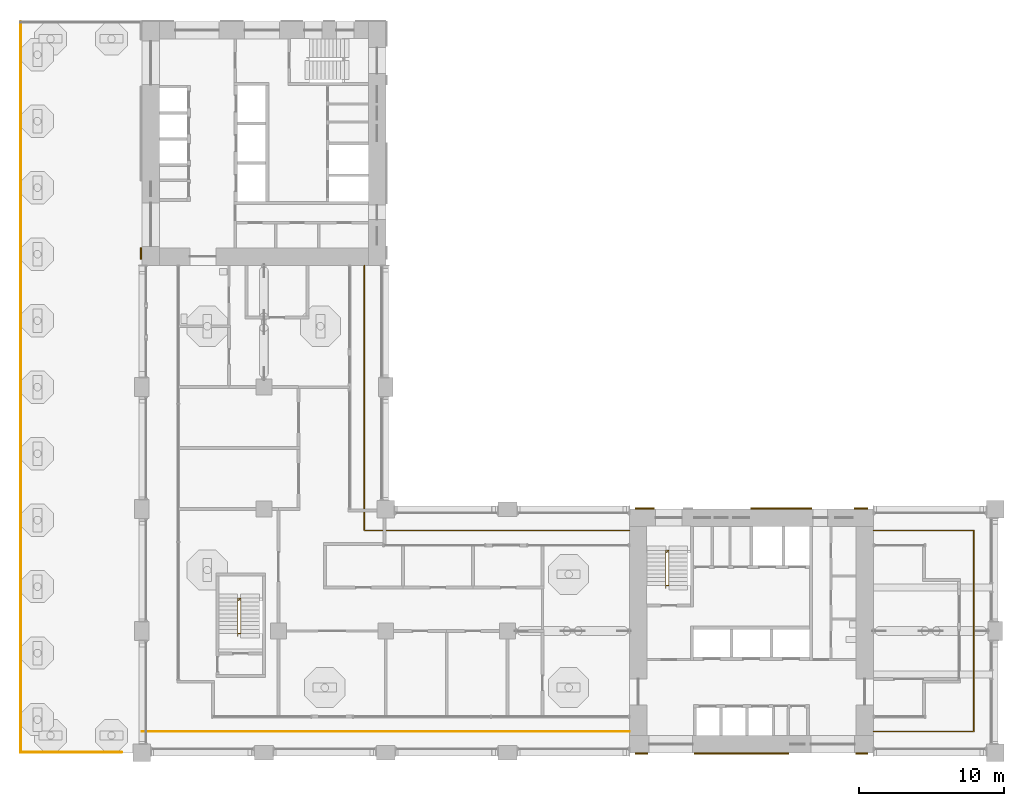
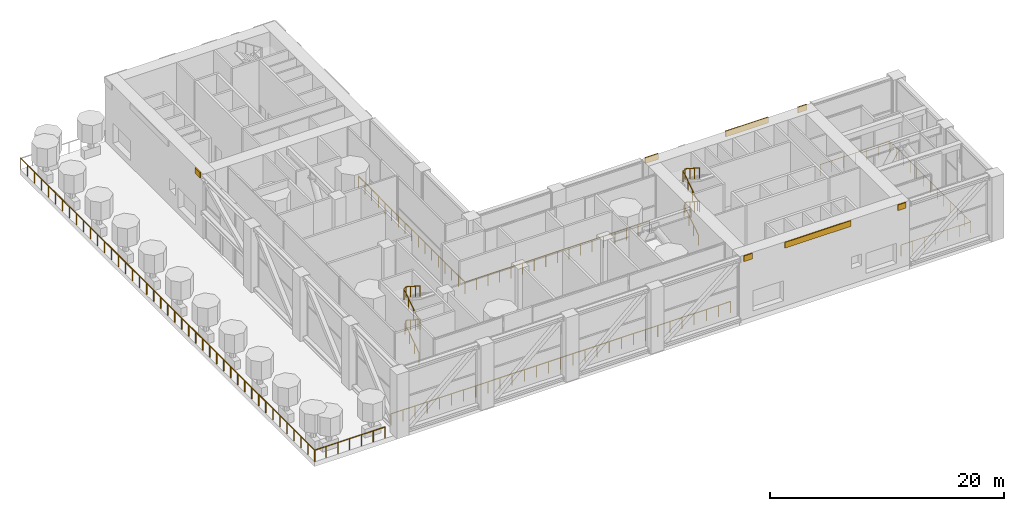
# One storey, part 18 of 22: 7 railings, 7 shading devices.
"""IFC4 building model written with IfcOpenShell, lengths in metres."""

from ifc_helpers import new_model, si_unit, direction, frame, origin, origin_2d, place, context, subcontext, project, spatial, rectangle, circle, extrude, material, layer, layer_set, type_object, element, save


model = new_model("IFC4")

# Units and contexts
model_context = context("Model", 3, precision=1e-05, world=origin(), true_north=direction((0.0, 1.0)))
body_context = subcontext(model_context, "Body", "Model", "MODEL_VIEW")
ifc_project = project(units=[si_unit("LENGTHUNIT", "METRE"), si_unit("AREAUNIT", "SQUARE_METRE"), si_unit("VOLUMEUNIT", "CUBIC_METRE"), si_unit("PLANEANGLEUNIT", "RADIAN"), si_unit("MASSUNIT", "GRAM", prefix="KILO")], contexts=[model_context])

# Site, building, storey
site_placement = place(None, origin())
site = spatial("IfcSite", under=ifc_project, at=site_placement, CompositionType="ELEMENT")
building_placement = place(site_placement, origin())
building = spatial("IfcBuilding", under=site, at=building_placement, Name="Vermilion Gate Residences", CompositionType="ELEMENT")
storey_placement = place(building_placement, frame((0.0, 0.0, 140.699951171875)))
storey = spatial("IfcBuildingStorey", under=building, at=storey_placement, Name="L36", CompositionType="ELEMENT", Elevation=140.699951171875)

# Railings
ifc_material_1 = material(Name="Stainless steel and toughened glass", Category="steel")
railing_type_1 = type_object("IfcRailingType", Name="LOGGIA GUARD STEEL AND GLASS 1200", PredefinedType="GUARDRAIL", material=ifc_material_1)
railing_1_placement = place(storey_placement, frame((8.39990234375, 9.875, 0.0)))
element("IfcRailing", 1, at=railing_1_placement, inside=storey, type_object=railing_type_1, Name="Loggia guard", PredefinedType="GUARDRAIL", context=body_context, shape_type="SweptSolid", body=[
    extrude(circle(Radius=0.030029296875, at=origin_2d()), frame((0.0, 0.0, 1.169921875), z_axis=(1.0, 0.0, 0.0), x_axis=(0.0, 1.0, 0.0)), (0.0, 0.0, 1.0), 33.578125),
    extrude(circle(Radius=0.02490234375, at=origin_2d()), origin(), (0.0, 0.0, 1.0), 1.139892578125),
    extrude(circle(Radius=0.02490234375, at=origin_2d()), frame((1.19921875, 0.0, 0.0)), (0.0, 0.0, 1.0), 1.139892578125),
    extrude(circle(Radius=0.02490234375, at=origin_2d()), frame((2.3984375, 0.0, 0.0)), (0.0, 0.0, 1.0), 1.139892578125),
    extrude(circle(Radius=0.02490234375, at=origin_2d()), frame((3.59765625, 0.0, 0.0)), (0.0, 0.0, 1.0), 1.139892578125),
    extrude(circle(Radius=0.02490234375, at=origin_2d()), frame((4.796875, 0.0, 0.0)), (0.0, 0.0, 1.0), 1.139892578125),
    extrude(circle(Radius=0.02490234375, at=origin_2d()), frame((5.99609375, 0.0, 0.0)), (0.0, 0.0, 1.0), 1.139892578125),
    extrude(circle(Radius=0.02490234375, at=origin_2d()), frame((7.1953125, 0.0, 0.0)), (0.0, 0.0, 1.0), 1.139892578125),
    extrude(circle(Radius=0.02490234375, at=origin_2d()), frame((8.39453125, 0.0, 0.0)), (0.0, 0.0, 1.0), 1.139892578125),
    extrude(circle(Radius=0.02490234375, at=origin_2d()), frame((9.59375, 0.0, 0.0)), (0.0, 0.0, 1.0), 1.139892578125),
    extrude(circle(Radius=0.02490234375, at=origin_2d()), frame((10.79296875, 0.0, 0.0)), (0.0, 0.0, 1.0), 1.139892578125),
    extrude(circle(Radius=0.02490234375, at=origin_2d()), frame((11.9921875, 0.0, 0.0)), (0.0, 0.0, 1.0), 1.139892578125),
    extrude(circle(Radius=0.02490234375, at=origin_2d()), frame((13.19140625, 0.0, 0.0)), (0.0, 0.0, 1.0), 1.139892578125),
    extrude(circle(Radius=0.02490234375, at=origin_2d()), frame((14.390625, 0.0, 0.0)), (0.0, 0.0, 1.0), 1.139892578125),
    extrude(circle(Radius=0.02490234375, at=origin_2d()), frame((15.58984375, 0.0, 0.0)), (0.0, 0.0, 1.0), 1.139892578125),
    extrude(circle(Radius=0.02490234375, at=origin_2d()), frame((16.7890625, 0.0, 0.0)), (0.0, 0.0, 1.0), 1.139892578125),
    extrude(circle(Radius=0.02490234375, at=origin_2d()), frame((17.98828125, 0.0, 0.0)), (0.0, 0.0, 1.0), 1.139892578125),
    extrude(circle(Radius=0.02490234375, at=origin_2d()), frame((19.1875, 0.0, 0.0)), (0.0, 0.0, 1.0), 1.139892578125),
    extrude(circle(Radius=0.02490234375, at=origin_2d()), frame((20.38671875, 0.0, 0.0)), (0.0, 0.0, 1.0), 1.139892578125),
    extrude(circle(Radius=0.02490234375, at=origin_2d()), frame((21.5859375, 0.0, 0.0)), (0.0, 0.0, 1.0), 1.139892578125),
    extrude(circle(Radius=0.02490234375, at=origin_2d()), frame((22.78515625, 0.0, 0.0)), (0.0, 0.0, 1.0), 1.139892578125),
    extrude(circle(Radius=0.02490234375, at=origin_2d()), frame((23.984375, 0.0, 0.0)), (0.0, 0.0, 1.0), 1.139892578125),
    extrude(circle(Radius=0.02490234375, at=origin_2d()), frame((25.18359375, 0.0, 0.0)), (0.0, 0.0, 1.0), 1.139892578125),
    extrude(circle(Radius=0.02490234375, at=origin_2d()), frame((26.3828125, 0.0, 0.0)), (0.0, 0.0, 1.0), 1.139892578125),
    extrude(circle(Radius=0.02490234375, at=origin_2d()), frame((27.58203125, 0.0, 0.0)), (0.0, 0.0, 1.0), 1.139892578125),
    extrude(circle(Radius=0.02490234375, at=origin_2d()), frame((28.78125, 0.0, 0.0)), (0.0, 0.0, 1.0), 1.139892578125),
    extrude(circle(Radius=0.02490234375, at=origin_2d()), frame((29.98046875, 0.0, 0.0)), (0.0, 0.0, 1.0), 1.139892578125),
    extrude(circle(Radius=0.02490234375, at=origin_2d()), frame((31.1796875, 0.0, 0.0)), (0.0, 0.0, 1.0), 1.139892578125),
    extrude(circle(Radius=0.02490234375, at=origin_2d()), frame((32.37890625, 0.0, 0.0)), (0.0, 0.0, 1.0), 1.139892578125),
    extrude(circle(Radius=0.02490234375, at=origin_2d()), frame((33.578125, 0.0, 0.0)), (0.0, 0.0, 1.0), 1.139892578125),
])
railing_2_placement = place(storey_placement, frame((58.822021484375, 9.875, 0.0)))
element("IfcRailing", 2, at=railing_2_placement, inside=storey, type_object=railing_type_1, Name="Loggia guard", PredefinedType="GUARDRAIL", context=body_context, shape_type="SweptSolid", body=[
    extrude(circle(Radius=0.030029296875, at=origin_2d()), frame((0.0, 0.0, 1.169921875), z_axis=(1.0, 0.0, 0.0), x_axis=(0.0, 1.0, 0.0)), (0.0, 0.0, 1.0), 6.903076171875),
    extrude(circle(Radius=0.030029296875, at=origin_2d()), frame((6.903076171875, 0.0, 1.169921875), z_axis=(0.0, 1.0, 0.0), x_axis=(-1.0, 0.0, 0.0)), (0.0, 0.0, 1.0), 13.85009765625),
    extrude(circle(Radius=0.030029296875, at=origin_2d()), frame((6.903076171875, 13.85009765625, 1.169921875), z_axis=(-1.0, 0.0, 0.0), x_axis=(0.0, -1.0, 0.0)), (0.0, 0.0, 1.0), 6.903076171875),
    extrude(circle(Radius=0.02490234375, at=origin_2d()), origin(), (0.0, 0.0, 1.0), 1.139892578125),
    extrude(circle(Radius=0.02490234375, at=origin_2d()), frame((1.150390625, 0.0, 0.0)), (0.0, 0.0, 1.0), 1.139892578125),
    extrude(circle(Radius=0.02490234375, at=origin_2d()), frame((2.301025390625, 0.0, 0.0)), (0.0, 0.0, 1.0), 1.139892578125),
    extrude(circle(Radius=0.02490234375, at=origin_2d()), frame((3.45166015625, 0.0, 0.0)), (0.0, 0.0, 1.0), 1.139892578125),
    extrude(circle(Radius=0.02490234375, at=origin_2d()), frame((4.60205078125, 0.0, 0.0)), (0.0, 0.0, 1.0), 1.139892578125),
    extrude(circle(Radius=0.02490234375, at=origin_2d()), frame((5.75244140625, 0.0, 0.0)), (0.0, 0.0, 1.0), 1.139892578125),
    extrude(circle(Radius=0.02490234375, at=origin_2d()), frame((6.903076171875, 0.0, 0.0)), (0.0, 0.0, 1.0), 1.139892578125),
    extrude(circle(Radius=0.02490234375, at=origin_2d()), frame((6.903076171875, 1.154296875, 0.0)), (0.0, 0.0, 1.0), 1.139892578125),
    extrude(circle(Radius=0.02490234375, at=origin_2d()), frame((6.903076171875, 2.308349609375, 0.0)), (0.0, 0.0, 1.0), 1.139892578125),
    extrude(circle(Radius=0.02490234375, at=origin_2d()), frame((6.903076171875, 3.46240234375, 0.0)), (0.0, 0.0, 1.0), 1.139892578125),
    extrude(circle(Radius=0.02490234375, at=origin_2d()), frame((6.903076171875, 4.61669921875, 0.0)), (0.0, 0.0, 1.0), 1.139892578125),
    extrude(circle(Radius=0.02490234375, at=origin_2d()), frame((6.903076171875, 5.77099609375, 0.0)), (0.0, 0.0, 1.0), 1.139892578125),
    extrude(circle(Radius=0.02490234375, at=origin_2d()), frame((6.903076171875, 6.925048828125, 0.0)), (0.0, 0.0, 1.0), 1.139892578125),
    extrude(circle(Radius=0.02490234375, at=origin_2d()), frame((6.903076171875, 8.0791015625, 0.0)), (0.0, 0.0, 1.0), 1.139892578125),
    extrude(circle(Radius=0.02490234375, at=origin_2d()), frame((6.903076171875, 9.2333984375, 0.0)), (0.0, 0.0, 1.0), 1.139892578125),
    extrude(circle(Radius=0.02490234375, at=origin_2d()), frame((6.903076171875, 10.3876953125, 0.0)), (0.0, 0.0, 1.0), 1.139892578125),
    extrude(circle(Radius=0.02490234375, at=origin_2d()), frame((6.903076171875, 11.541748046875, 0.0)), (0.0, 0.0, 1.0), 1.139892578125),
    extrude(circle(Radius=0.02490234375, at=origin_2d()), frame((6.903076171875, 12.69580078125, 0.0)), (0.0, 0.0, 1.0), 1.139892578125),
    extrude(circle(Radius=0.02490234375, at=origin_2d()), frame((6.903076171875, 13.85009765625, 0.0)), (0.0, 0.0, 1.0), 1.139892578125),
    extrude(circle(Radius=0.02490234375, at=origin_2d()), frame((5.75244140625, 13.85009765625, 0.0)), (0.0, 0.0, 1.0), 1.139892578125),
    extrude(circle(Radius=0.02490234375, at=origin_2d()), frame((4.60205078125, 13.85009765625, 0.0)), (0.0, 0.0, 1.0), 1.139892578125),
    extrude(circle(Radius=0.02490234375, at=origin_2d()), frame((3.45166015625, 13.85009765625, 0.0)), (0.0, 0.0, 1.0), 1.139892578125),
    extrude(circle(Radius=0.02490234375, at=origin_2d()), frame((2.301025390625, 13.85009765625, 0.0)), (0.0, 0.0, 1.0), 1.139892578125),
    extrude(circle(Radius=0.02490234375, at=origin_2d()), frame((1.150390625, 13.85009765625, 0.0)), (0.0, 0.0, 1.0), 1.139892578125),
    extrude(circle(Radius=0.02490234375, at=origin_2d()), frame((0.0, 13.85009765625, 0.0)), (0.0, 0.0, 1.0), 1.139892578125),
])
railing_3_placement = place(storey_placement, frame((41.97802734375, 23.72509765625, 0.0)))
element("IfcRailing", 3, at=railing_3_placement, inside=storey, type_object=railing_type_1, Name="Loggia guard", PredefinedType="GUARDRAIL", context=body_context, shape_type="SweptSolid", body=[
    extrude(circle(Radius=0.030029296875, at=origin_2d()), frame((0.0, 0.0, 1.169921875), z_axis=(-1.0, 0.0, 0.0), x_axis=(0.0, -1.0, 0.0)), (0.0, 0.0, 1.0), 18.2529296875),
    extrude(circle(Radius=0.030029296875, at=origin_2d()), frame((-18.2529296875, 0.0, 1.169921875), z_axis=(0.0, 1.0, 0.0), x_axis=(-1.0, 0.0, 0.0)), (0.0, 0.0, 1.0), 18.2529296875),
    extrude(circle(Radius=0.02490234375, at=origin_2d()), origin(), (0.0, 0.0, 1.0), 1.139892578125),
    extrude(circle(Radius=0.02490234375, at=origin_2d()), frame((-1.140869140625, 0.0, 0.0)), (0.0, 0.0, 1.0), 1.139892578125),
    extrude(circle(Radius=0.02490234375, at=origin_2d()), frame((-2.28173828125, 0.0, 0.0)), (0.0, 0.0, 1.0), 1.139892578125),
    extrude(circle(Radius=0.02490234375, at=origin_2d()), frame((-3.42236328125, 0.0, 0.0)), (0.0, 0.0, 1.0), 1.139892578125),
    extrude(circle(Radius=0.02490234375, at=origin_2d()), frame((-4.563232421875, 0.0, 0.0)), (0.0, 0.0, 1.0), 1.139892578125),
    extrude(circle(Radius=0.02490234375, at=origin_2d()), frame((-5.7041015625, 0.0, 0.0)), (0.0, 0.0, 1.0), 1.139892578125),
    extrude(circle(Radius=0.02490234375, at=origin_2d()), frame((-6.8447265625, 0.0, 0.0)), (0.0, 0.0, 1.0), 1.139892578125),
    extrude(circle(Radius=0.02490234375, at=origin_2d()), frame((-7.985595703125, 0.0, 0.0)), (0.0, 0.0, 1.0), 1.139892578125),
    extrude(circle(Radius=0.02490234375, at=origin_2d()), frame((-9.12646484375, 0.0, 0.0)), (0.0, 0.0, 1.0), 1.139892578125),
    extrude(circle(Radius=0.02490234375, at=origin_2d()), frame((-10.267333984375, 0.0, 0.0)), (0.0, 0.0, 1.0), 1.139892578125),
    extrude(circle(Radius=0.02490234375, at=origin_2d()), frame((-11.408203125, 0.0, 0.0)), (0.0, 0.0, 1.0), 1.139892578125),
    extrude(circle(Radius=0.02490234375, at=origin_2d()), frame((-12.548828125, 0.0, 0.0)), (0.0, 0.0, 1.0), 1.139892578125),
    extrude(circle(Radius=0.02490234375, at=origin_2d()), frame((-13.689697265625, 0.0, 0.0)), (0.0, 0.0, 1.0), 1.139892578125),
    extrude(circle(Radius=0.02490234375, at=origin_2d()), frame((-14.83056640625, 0.0, 0.0)), (0.0, 0.0, 1.0), 1.139892578125),
    extrude(circle(Radius=0.02490234375, at=origin_2d()), frame((-15.97119140625, 0.0, 0.0)), (0.0, 0.0, 1.0), 1.139892578125),
    extrude(circle(Radius=0.02490234375, at=origin_2d()), frame((-17.112060546875, 0.0, 0.0)), (0.0, 0.0, 1.0), 1.139892578125),
    extrude(circle(Radius=0.02490234375, at=origin_2d()), frame((-18.2529296875, 0.0, 0.0)), (0.0, 0.0, 1.0), 1.139892578125),
    extrude(circle(Radius=0.02490234375, at=origin_2d()), frame((-18.2529296875, 1.140869140625, 0.0)), (0.0, 0.0, 1.0), 1.139892578125),
    extrude(circle(Radius=0.02490234375, at=origin_2d()), frame((-18.2529296875, 2.28173828125, 0.0)), (0.0, 0.0, 1.0), 1.139892578125),
    extrude(circle(Radius=0.02490234375, at=origin_2d()), frame((-18.2529296875, 3.42236328125, 0.0)), (0.0, 0.0, 1.0), 1.139892578125),
    extrude(circle(Radius=0.02490234375, at=origin_2d()), frame((-18.2529296875, 4.563232421875, 0.0)), (0.0, 0.0, 1.0), 1.139892578125),
    extrude(circle(Radius=0.02490234375, at=origin_2d()), frame((-18.2529296875, 5.7041015625, 0.0)), (0.0, 0.0, 1.0), 1.139892578125),
    extrude(circle(Radius=0.02490234375, at=origin_2d()), frame((-18.2529296875, 6.8447265625, 0.0)), (0.0, 0.0, 1.0), 1.139892578125),
    extrude(circle(Radius=0.02490234375, at=origin_2d()), frame((-18.2529296875, 7.985595703125, 0.0)), (0.0, 0.0, 1.0), 1.139892578125),
    extrude(circle(Radius=0.02490234375, at=origin_2d()), frame((-18.2529296875, 9.12646484375, 0.0)), (0.0, 0.0, 1.0), 1.139892578125),
    extrude(circle(Radius=0.02490234375, at=origin_2d()), frame((-18.2529296875, 10.267333984375, 0.0)), (0.0, 0.0, 1.0), 1.139892578125),
    extrude(circle(Radius=0.02490234375, at=origin_2d()), frame((-18.2529296875, 11.408203125, 0.0)), (0.0, 0.0, 1.0), 1.139892578125),
    extrude(circle(Radius=0.02490234375, at=origin_2d()), frame((-18.2529296875, 12.548828125, 0.0)), (0.0, 0.0, 1.0), 1.139892578125),
    extrude(circle(Radius=0.02490234375, at=origin_2d()), frame((-18.2529296875, 13.689697265625, 0.0)), (0.0, 0.0, 1.0), 1.139892578125),
    extrude(circle(Radius=0.02490234375, at=origin_2d()), frame((-18.2529296875, 14.83056640625, 0.0)), (0.0, 0.0, 1.0), 1.139892578125),
    extrude(circle(Radius=0.02490234375, at=origin_2d()), frame((-18.2529296875, 15.97119140625, 0.0)), (0.0, 0.0, 1.0), 1.139892578125),
    extrude(circle(Radius=0.02490234375, at=origin_2d()), frame((-18.2529296875, 17.112060546875, 0.0)), (0.0, 0.0, 1.0), 1.139892578125),
    extrude(circle(Radius=0.02490234375, at=origin_2d()), frame((-18.2529296875, 18.2529296875, 0.0)), (0.0, 0.0, 1.0), 1.139892578125),
])
railing_4_placement = place(storey_placement, frame((0.02197265625, 8.449951171875, 0.0)))
element("IfcRailing", 4, at=railing_4_placement, inside=storey, type_object=railing_type_1, Name="Loggia guard", PredefinedType="GUARDRAIL", context=body_context, shape_type="SweptSolid", body=[
    extrude(circle(Radius=0.030029296875, at=origin_2d()), frame((0.0, 0.0, 1.169921875), z_axis=(1.0, 0.0, 0.0), x_axis=(0.0, 1.0, 0.0)), (0.0, 0.0, 1.0), 6.98095703125),
    extrude(circle(Radius=0.02490234375, at=origin_2d()), origin(), (0.0, 0.0, 1.0), 1.139892578125),
    extrude(circle(Radius=0.02490234375, at=origin_2d()), frame((1.16357421875, 0.0, 0.0)), (0.0, 0.0, 1.0), 1.139892578125),
    extrude(circle(Radius=0.02490234375, at=origin_2d()), frame((2.326904296875, 0.0, 0.0)), (0.0, 0.0, 1.0), 1.139892578125),
    extrude(circle(Radius=0.02490234375, at=origin_2d()), frame((3.490478515625, 0.0, 0.0)), (0.0, 0.0, 1.0), 1.139892578125),
    extrude(circle(Radius=0.02490234375, at=origin_2d()), frame((4.654052734375, 0.0, 0.0)), (0.0, 0.0, 1.0), 1.139892578125),
    extrude(circle(Radius=0.02490234375, at=origin_2d()), frame((5.8173828125, 0.0, 0.0)), (0.0, 0.0, 1.0), 1.139892578125),
    extrude(circle(Radius=0.02490234375, at=origin_2d()), frame((6.98095703125, 0.0, 0.0)), (0.0, 0.0, 1.0), 1.139892578125),
])
railing_5_placement = place(storey_placement, frame((0.050048828125, 58.778076171875, 0.0)))
element("IfcRailing", 5, at=railing_5_placement, inside=storey, type_object=railing_type_1, Name="Loggia guard", PredefinedType="GUARDRAIL", context=body_context, shape_type="SweptSolid", body=[
    extrude(circle(Radius=0.030029296875, at=origin_2d()), frame((0.0, 0.0, 1.169921875), z_axis=(0.0, -1.0, 0.0), x_axis=(1.0, 0.0, 0.0)), (0.0, 0.0, 1.0), 50.35595703125),
    extrude(circle(Radius=0.02490234375, at=origin_2d()), origin(), (0.0, 0.0, 1.0), 1.139892578125),
    extrude(circle(Radius=0.02490234375, at=origin_2d()), frame((0.0, -1.198974609375, 0.0)), (0.0, 0.0, 1.0), 1.139892578125),
    extrude(circle(Radius=0.02490234375, at=origin_2d()), frame((0.0, -2.39794921875, 0.0)), (0.0, 0.0, 1.0), 1.139892578125),
    extrude(circle(Radius=0.02490234375, at=origin_2d()), frame((0.0, -3.596923828125, 0.0)), (0.0, 0.0, 1.0), 1.139892578125),
    extrude(circle(Radius=0.02490234375, at=origin_2d()), frame((0.0, -4.7958984375, 0.0)), (0.0, 0.0, 1.0), 1.139892578125),
    extrude(circle(Radius=0.02490234375, at=origin_2d()), frame((0.0, -5.994873046875, 0.0)), (0.0, 0.0, 1.0), 1.139892578125),
    extrude(circle(Radius=0.02490234375, at=origin_2d()), frame((0.0, -7.193603515625, 0.0)), (0.0, 0.0, 1.0), 1.139892578125),
    extrude(circle(Radius=0.02490234375, at=origin_2d()), frame((0.0, -8.392578125, 0.0)), (0.0, 0.0, 1.0), 1.139892578125),
    extrude(circle(Radius=0.02490234375, at=origin_2d()), frame((0.0, -9.591552734375, 0.0)), (0.0, 0.0, 1.0), 1.139892578125),
    extrude(circle(Radius=0.02490234375, at=origin_2d()), frame((0.0, -10.79052734375, 0.0)), (0.0, 0.0, 1.0), 1.139892578125),
    extrude(circle(Radius=0.02490234375, at=origin_2d()), frame((0.0, -11.989501953125, 0.0)), (0.0, 0.0, 1.0), 1.139892578125),
    extrude(circle(Radius=0.02490234375, at=origin_2d()), frame((0.0, -13.1884765625, 0.0)), (0.0, 0.0, 1.0), 1.139892578125),
    extrude(circle(Radius=0.02490234375, at=origin_2d()), frame((0.0, -14.387451171875, 0.0)), (0.0, 0.0, 1.0), 1.139892578125),
    extrude(circle(Radius=0.02490234375, at=origin_2d()), frame((0.0, -15.58642578125, 0.0)), (0.0, 0.0, 1.0), 1.139892578125),
    extrude(circle(Radius=0.02490234375, at=origin_2d()), frame((0.0, -16.785400390625, 0.0)), (0.0, 0.0, 1.0), 1.139892578125),
    extrude(circle(Radius=0.02490234375, at=origin_2d()), frame((0.0, -17.984375, 0.0)), (0.0, 0.0, 1.0), 1.139892578125),
    extrude(circle(Radius=0.02490234375, at=origin_2d()), frame((0.0, -19.18310546875, 0.0)), (0.0, 0.0, 1.0), 1.139892578125),
    extrude(circle(Radius=0.02490234375, at=origin_2d()), frame((0.0, -20.382080078125, 0.0)), (0.0, 0.0, 1.0), 1.139892578125),
    extrude(circle(Radius=0.02490234375, at=origin_2d()), frame((0.0, -21.5810546875, 0.0)), (0.0, 0.0, 1.0), 1.139892578125),
    extrude(circle(Radius=0.02490234375, at=origin_2d()), frame((0.0, -22.780029296875, 0.0)), (0.0, 0.0, 1.0), 1.139892578125),
    extrude(circle(Radius=0.02490234375, at=origin_2d()), frame((0.0, -23.97900390625, 0.0)), (0.0, 0.0, 1.0), 1.139892578125),
    extrude(circle(Radius=0.02490234375, at=origin_2d()), frame((0.0, -25.177978515625, 0.0)), (0.0, 0.0, 1.0), 1.139892578125),
    extrude(circle(Radius=0.02490234375, at=origin_2d()), frame((0.0, -26.376953125, 0.0)), (0.0, 0.0, 1.0), 1.139892578125),
    extrude(circle(Radius=0.02490234375, at=origin_2d()), frame((0.0, -27.575927734375, 0.0)), (0.0, 0.0, 1.0), 1.139892578125),
    extrude(circle(Radius=0.02490234375, at=origin_2d()), frame((0.0, -28.77490234375, 0.0)), (0.0, 0.0, 1.0), 1.139892578125),
    extrude(circle(Radius=0.02490234375, at=origin_2d()), frame((0.0, -29.973876953125, 0.0)), (0.0, 0.0, 1.0), 1.139892578125),
    extrude(circle(Radius=0.02490234375, at=origin_2d()), frame((0.0, -31.1728515625, 0.0)), (0.0, 0.0, 1.0), 1.139892578125),
    extrude(circle(Radius=0.02490234375, at=origin_2d()), frame((0.0, -32.37158203125, 0.0)), (0.0, 0.0, 1.0), 1.139892578125),
    extrude(circle(Radius=0.02490234375, at=origin_2d()), frame((0.0, -33.570556640625, 0.0)), (0.0, 0.0, 1.0), 1.139892578125),
    extrude(circle(Radius=0.02490234375, at=origin_2d()), frame((0.0, -34.76953125, 0.0)), (0.0, 0.0, 1.0), 1.139892578125),
    extrude(circle(Radius=0.02490234375, at=origin_2d()), frame((0.0, -35.968505859375, 0.0)), (0.0, 0.0, 1.0), 1.139892578125),
    extrude(circle(Radius=0.02490234375, at=origin_2d()), frame((0.0, -37.16748046875, 0.0)), (0.0, 0.0, 1.0), 1.139892578125),
    extrude(circle(Radius=0.02490234375, at=origin_2d()), frame((0.0, -38.366455078125, 0.0)), (0.0, 0.0, 1.0), 1.139892578125),
    extrude(circle(Radius=0.02490234375, at=origin_2d()), frame((0.0, -39.5654296875, 0.0)), (0.0, 0.0, 1.0), 1.139892578125),
    extrude(circle(Radius=0.02490234375, at=origin_2d()), frame((0.0, -40.764404296875, 0.0)), (0.0, 0.0, 1.0), 1.139892578125),
    extrude(circle(Radius=0.02490234375, at=origin_2d()), frame((0.0, -41.96337890625, 0.0)), (0.0, 0.0, 1.0), 1.139892578125),
    extrude(circle(Radius=0.02490234375, at=origin_2d()), frame((0.0, -43.162353515625, 0.0)), (0.0, 0.0, 1.0), 1.139892578125),
    extrude(circle(Radius=0.02490234375, at=origin_2d()), frame((0.0, -44.361083984375, 0.0)), (0.0, 0.0, 1.0), 1.139892578125),
    extrude(circle(Radius=0.02490234375, at=origin_2d()), frame((0.0, -45.56005859375, 0.0)), (0.0, 0.0, 1.0), 1.139892578125),
    extrude(circle(Radius=0.02490234375, at=origin_2d()), frame((0.0, -46.759033203125, 0.0)), (0.0, 0.0, 1.0), 1.139892578125),
    extrude(circle(Radius=0.02490234375, at=origin_2d()), frame((0.0, -47.9580078125, 0.0)), (0.0, 0.0, 1.0), 1.139892578125),
    extrude(circle(Radius=0.02490234375, at=origin_2d()), frame((0.0, -49.156982421875, 0.0)), (0.0, 0.0, 1.0), 1.139892578125),
    extrude(circle(Radius=0.02490234375, at=origin_2d()), frame((0.0, -50.35595703125, 0.0)), (0.0, 0.0, 1.0), 1.139892578125),
])
ifc_material_2 = material(Name="Steel S355", Category="steel")
railing_type_2 = type_object("IfcRailingType", Name="STAIR GUARD 1100 STEEL", PredefinedType="GUARDRAIL", material=ifc_material_2)
railing_6_placement = place(storey_placement, frame((44.5, 19.75, 0.175048828125)))
element("IfcRailing", 6, at=railing_6_placement, inside=storey, type_object=railing_type_2, Name="Stair well guard STA1-36", PredefinedType="GUARDRAIL", context=body_context, shape_type="SweptSolid", body=[
    extrude(circle(Radius=0.02392578125, at=origin_2d()), frame((0.0, 0.0, 1.076171875), z_axis=(0.0, 0.839153699163, 0.543894354798), x_axis=(-1.0, 0.0, 0.0)), (0.0, 0.0, 1.0), 2.895751953125),
    extrude(circle(Radius=0.02392578125, at=origin_2d()), frame((0.0, 2.429931640625, 2.65087890625), z_axis=(0.622765251099, 0.561173083408, 0.545204743636), x_axis=(-0.669415636384, 0.74288808428, 0.0)), (0.0, 0.0, 1.0), 0.321044921875),
    extrude(circle(Radius=0.02392578125, at=origin_2d()), frame((0.199951171875, 2.610107421875, 2.826171875), z_axis=(0.0, -0.839178637674, 0.543855876194), x_axis=(1.0, 0.0, 0.0)), (0.0, 0.0, 1.0), 2.89599609375),
    extrude(circle(Radius=0.02392578125, at=origin_2d()), frame((0.199951171875, 0.179931640625, 4.40087890625), z_axis=(-0.752405939678, 0.0, 0.658699705433), x_axis=(0.0, -1.0, 0.0)), (0.0, 0.0, 1.0), 0.265869140625),
    extrude(circle(Radius=0.02392578125, at=origin_2d()), frame((0.0, 0.179931640625, 4.576171875), z_axis=(0.0, 0.839178637674, 0.543855876194), x_axis=(-1.0, 0.0, 0.0)), (0.0, 0.0, 1.0), 2.89599609375),
    extrude(circle(Radius=0.02392578125, at=origin_2d()), frame((0.0, 2.610107421875, 6.15087890625), z_axis=(0.752405939678, 0.0, 0.658699705433), x_axis=(0.0, 1.0, 0.0)), (0.0, 0.0, 1.0), 0.265869140625),
    extrude(circle(Radius=0.02392578125, at=origin_2d()), frame((0.199951171875, 2.610107421875, 6.326171875), z_axis=(0.0, -0.839178637674, 0.543855876194), x_axis=(1.0, 0.0, 0.0)), (0.0, 0.0, 1.0), 2.89599609375),
    extrude(circle(Radius=0.02099609375, at=origin_2d()), origin(), (0.0, 0.0, 1.0), 1.052001953125),
    extrude(circle(Radius=0.02099609375, at=origin_2d()), frame((0.0, 0.81005859375, 0.52490234375)), (0.0, 0.0, 1.0), 1.052001953125),
    extrude(circle(Radius=0.02099609375, at=origin_2d()), frame((0.0, 1.619873046875, 1.050048828125)), (0.0, 0.0, 1.0), 1.052001953125),
    extrude(circle(Radius=0.02099609375, at=origin_2d()), frame((0.0, 2.429931640625, 1.574951171875)), (0.0, 0.0, 1.0), 1.052001953125),
    extrude(circle(Radius=0.02099609375, at=origin_2d()), frame((0.199951171875, 2.610107421875, 1.75)), (0.0, 0.0, 1.0), 1.052001953125),
    extrude(circle(Radius=0.02099609375, at=origin_2d()), frame((0.199951171875, 1.800048828125, 2.27490234375)), (0.0, 0.0, 1.0), 1.052001953125),
    extrude(circle(Radius=0.02099609375, at=origin_2d()), frame((0.199951171875, 0.989990234375, 2.800048828125)), (0.0, 0.0, 1.0), 1.052001953125),
    extrude(circle(Radius=0.02099609375, at=origin_2d()), frame((0.199951171875, 0.179931640625, 3.324951171875)), (0.0, 0.0, 1.0), 1.052001953125),
    extrude(circle(Radius=0.02099609375, at=origin_2d()), frame((0.0, 0.179931640625, 3.5)), (0.0, 0.0, 1.0), 1.052001953125),
    extrude(circle(Radius=0.02099609375, at=origin_2d()), frame((0.0, 0.989990234375, 4.02490234375)), (0.0, 0.0, 1.0), 1.052001953125),
    extrude(circle(Radius=0.02099609375, at=origin_2d()), frame((0.0, 1.800048828125, 4.550048828125)), (0.0, 0.0, 1.0), 1.052001953125),
    extrude(circle(Radius=0.02099609375, at=origin_2d()), frame((0.0, 2.610107421875, 5.074951171875)), (0.0, 0.0, 1.0), 1.052001953125),
    extrude(circle(Radius=0.02099609375, at=origin_2d()), frame((0.199951171875, 2.610107421875, 5.25)), (0.0, 0.0, 1.0), 1.052001953125),
    extrude(circle(Radius=0.02099609375, at=origin_2d()), frame((0.199951171875, 1.800048828125, 5.77490234375)), (0.0, 0.0, 1.0), 1.052001953125),
    extrude(circle(Radius=0.02099609375, at=origin_2d()), frame((0.199951171875, 0.989990234375, 6.300048828125)), (0.0, 0.0, 1.0), 1.052001953125),
    extrude(circle(Radius=0.02099609375, at=origin_2d()), frame((0.199951171875, 0.179931640625, 6.824951171875)), (0.0, 0.0, 1.0), 1.052001953125),
])
railing_7_placement = place(storey_placement, frame((15.0, 16.449951171875, 0.175048828125)))
element("IfcRailing", 7, at=railing_7_placement, inside=storey, type_object=railing_type_2, Name="Stair well guard STC1-36", PredefinedType="GUARDRAIL", context=body_context, shape_type="SweptSolid", body=[
    extrude(circle(Radius=0.02392578125, at=origin_2d()), frame((0.0, 0.0, 1.076171875), z_axis=(0.0, 0.839153699163, 0.543894354798), x_axis=(-1.0, 0.0, 0.0)), (0.0, 0.0, 1.0), 2.895751953125),
    extrude(circle(Radius=0.02392578125, at=origin_2d()), frame((0.0, 2.429931640625, 2.65087890625), z_axis=(0.622765251099, 0.561173083408, 0.545204743636), x_axis=(-0.669415636384, 0.74288808428, 0.0)), (0.0, 0.0, 1.0), 0.321044921875),
    extrude(circle(Radius=0.02392578125, at=origin_2d()), frame((0.199951171875, 2.610107421875, 2.826171875), z_axis=(0.0, -0.839178637674, 0.543855876194), x_axis=(1.0, 0.0, 0.0)), (0.0, 0.0, 1.0), 2.89599609375),
    extrude(circle(Radius=0.02392578125, at=origin_2d()), frame((0.199951171875, 0.179931640625, 4.40087890625), z_axis=(-0.752405939678, 0.0, 0.658699705433), x_axis=(0.0, -1.0, 0.0)), (0.0, 0.0, 1.0), 0.265869140625),
    extrude(circle(Radius=0.02392578125, at=origin_2d()), frame((0.0, 0.179931640625, 4.576171875), z_axis=(0.0, 0.839178637674, 0.543855876194), x_axis=(-1.0, 0.0, 0.0)), (0.0, 0.0, 1.0), 2.89599609375),
    extrude(circle(Radius=0.02392578125, at=origin_2d()), frame((0.0, 2.610107421875, 6.15087890625), z_axis=(0.752405939678, 0.0, 0.658699705433), x_axis=(0.0, 1.0, 0.0)), (0.0, 0.0, 1.0), 0.265869140625),
    extrude(circle(Radius=0.02392578125, at=origin_2d()), frame((0.199951171875, 2.610107421875, 6.326171875), z_axis=(0.0, -0.839178637674, 0.543855876194), x_axis=(1.0, 0.0, 0.0)), (0.0, 0.0, 1.0), 2.89599609375),
    extrude(circle(Radius=0.02099609375, at=origin_2d()), origin(), (0.0, 0.0, 1.0), 1.052001953125),
    extrude(circle(Radius=0.02099609375, at=origin_2d()), frame((0.0, 0.81005859375, 0.52490234375)), (0.0, 0.0, 1.0), 1.052001953125),
    extrude(circle(Radius=0.02099609375, at=origin_2d()), frame((0.0, 1.619873046875, 1.050048828125)), (0.0, 0.0, 1.0), 1.052001953125),
    extrude(circle(Radius=0.02099609375, at=origin_2d()), frame((0.0, 2.429931640625, 1.574951171875)), (0.0, 0.0, 1.0), 1.052001953125),
    extrude(circle(Radius=0.02099609375, at=origin_2d()), frame((0.199951171875, 2.610107421875, 1.75)), (0.0, 0.0, 1.0), 1.052001953125),
    extrude(circle(Radius=0.02099609375, at=origin_2d()), frame((0.199951171875, 1.800048828125, 2.27490234375)), (0.0, 0.0, 1.0), 1.052001953125),
    extrude(circle(Radius=0.02099609375, at=origin_2d()), frame((0.199951171875, 0.989990234375, 2.800048828125)), (0.0, 0.0, 1.0), 1.052001953125),
    extrude(circle(Radius=0.02099609375, at=origin_2d()), frame((0.199951171875, 0.179931640625, 3.324951171875)), (0.0, 0.0, 1.0), 1.052001953125),
    extrude(circle(Radius=0.02099609375, at=origin_2d()), frame((0.0, 0.179931640625, 3.5)), (0.0, 0.0, 1.0), 1.052001953125),
    extrude(circle(Radius=0.02099609375, at=origin_2d()), frame((0.0, 0.989990234375, 4.02490234375)), (0.0, 0.0, 1.0), 1.052001953125),
    extrude(circle(Radius=0.02099609375, at=origin_2d()), frame((0.0, 1.800048828125, 4.550048828125)), (0.0, 0.0, 1.0), 1.052001953125),
    extrude(circle(Radius=0.02099609375, at=origin_2d()), frame((0.0, 2.610107421875, 5.074951171875)), (0.0, 0.0, 1.0), 1.052001953125),
    extrude(circle(Radius=0.02099609375, at=origin_2d()), frame((0.199951171875, 2.610107421875, 5.25)), (0.0, 0.0, 1.0), 1.052001953125),
    extrude(circle(Radius=0.02099609375, at=origin_2d()), frame((0.199951171875, 1.800048828125, 5.77490234375)), (0.0, 0.0, 1.0), 1.052001953125),
    extrude(circle(Radius=0.02099609375, at=origin_2d()), frame((0.199951171875, 0.989990234375, 6.300048828125)), (0.0, 0.0, 1.0), 1.052001953125),
    extrude(circle(Radius=0.02099609375, at=origin_2d()), frame((0.199951171875, 0.179931640625, 6.824951171875)), (0.0, 0.0, 1.0), 1.052001953125),
])

# Shading devices
ifc_material_3 = material(Name="Extruded terracotta", Category="masonry")
ifc_layer = layer(ifc_material_3, 0.10009765625)
ifc_layer_set = layer_set([ifc_layer], Name="TERRACOTTA SPANDREL BAND 600 X 100")
shading_device_type = type_object("IfcShadingDeviceType", Name="TERRACOTTA SPANDREL BAND 600 X 100", PredefinedType="USERDEFINED", material=ifc_layer_set)
shading_device_1_placement = place(storey_placement, frame((42.824951171875, 8.35009765625, 6.1201171875), z_axis=(0.0, 0.0, 1.0), x_axis=(1.0, 0.0, 0.0)))
element("IfcShadingDevice", 8, at=shading_device_1_placement, inside=storey, type_object=shading_device_type, Name="SPANDREL BAND", ObjectType="BAND", PredefinedType="USERDEFINED", context=body_context, shape_type="SweptSolid", body=[
    extrude(rectangle(XDim=0.85009765625, YDim=0.10009765625, at=origin_2d()), origin(), (0.0, 0.0, 1.0), 0.60009765625),
])
shading_device_2_placement = place(storey_placement, frame((49.70556640625, 8.35009765625, 6.1201171875), z_axis=(0.0, 0.0, 1.0), x_axis=(1.0, 0.0, 0.0)))
element("IfcShadingDevice", 9, at=shading_device_2_placement, inside=storey, type_object=shading_device_type, Name="SPANDREL BAND", ObjectType="BAND", PredefinedType="USERDEFINED", context=body_context, shape_type="SweptSolid", body=[
    extrude(rectangle(XDim=6.510986328125, YDim=0.10009765625, at=origin_2d()), origin(), (0.0, 0.0, 1.0), 0.60009765625),
])
shading_device_3_placement = place(storey_placement, frame((58.0, 8.35009765625, 6.1201171875), z_axis=(0.0, 0.0, 1.0), x_axis=(1.0, 0.0, 0.0)))
element("IfcShadingDevice", 10, at=shading_device_3_placement, inside=storey, type_object=shading_device_type, Name="SPANDREL BAND", ObjectType="BAND", PredefinedType="USERDEFINED", context=body_context, shape_type="SweptSolid", body=[
    extrude(rectangle(XDim=0.800048828125, YDim=0.10009765625, at=origin_2d()), origin(), (0.0, 0.0, 1.0), 0.60009765625),
])
shading_device_4_placement = place(storey_placement, frame((43.050048828125, 25.25, 6.1201171875), z_axis=(0.0, 0.0, 1.0), x_axis=(1.0, 0.0, 0.0)))
element("IfcShadingDevice", 11, at=shading_device_4_placement, inside=storey, type_object=shading_device_type, Name="SPANDREL BAND", ObjectType="BAND", PredefinedType="USERDEFINED", context=body_context, shape_type="SweptSolid", body=[
    extrude(rectangle(XDim=1.300048828125, YDim=0.10009765625, at=origin_2d()), origin(), (0.0, 0.0, 1.0), 0.60009765625),
])
shading_device_5_placement = place(storey_placement, frame((52.449951171875, 25.25, 6.1201171875), z_axis=(0.0, 0.0, 1.0), x_axis=(1.0, 0.0, 0.0)))
element("IfcShadingDevice", 12, at=shading_device_5_placement, inside=storey, type_object=shading_device_type, Name="SPANDREL BAND", ObjectType="BAND", PredefinedType="USERDEFINED", context=body_context, shape_type="SweptSolid", body=[
    extrude(rectangle(XDim=4.199951171875, YDim=0.10009765625, at=origin_2d()), origin(), (0.0, 0.0, 1.0), 0.60009765625),
])
shading_device_6_placement = place(storey_placement, frame((57.9375, 25.25, 6.1201171875), z_axis=(0.0, 0.0, 1.0), x_axis=(1.0, 0.0, 0.0)))
element("IfcShadingDevice", 13, at=shading_device_6_placement, inside=storey, type_object=shading_device_type, Name="SPANDREL BAND", ObjectType="BAND", PredefinedType="USERDEFINED", context=body_context, shape_type="SweptSolid", body=[
    extrude(rectangle(XDim=0.925048828125, YDim=0.10009765625, at=origin_2d()), origin(), (0.0, 0.0, 1.0), 0.60009765625),
])
shading_device_7_placement = place(storey_placement, frame((8.35009765625, 42.800048828125, 6.1201171875), z_axis=(0.0, 0.0, 1.0), x_axis=(0.0, 1.0, 0.0)))
element("IfcShadingDevice", 14, at=shading_device_7_placement, inside=storey, type_object=shading_device_type, Name="SPANDREL BAND", ObjectType="BAND", PredefinedType="USERDEFINED", context=body_context, shape_type="SweptSolid", body=[
    extrude(rectangle(XDim=0.800048828125, YDim=0.10009765625, at=origin_2d()), origin(), (0.0, 0.0, 1.0), 0.60009765625),
])

save(model, "model.ifc")
